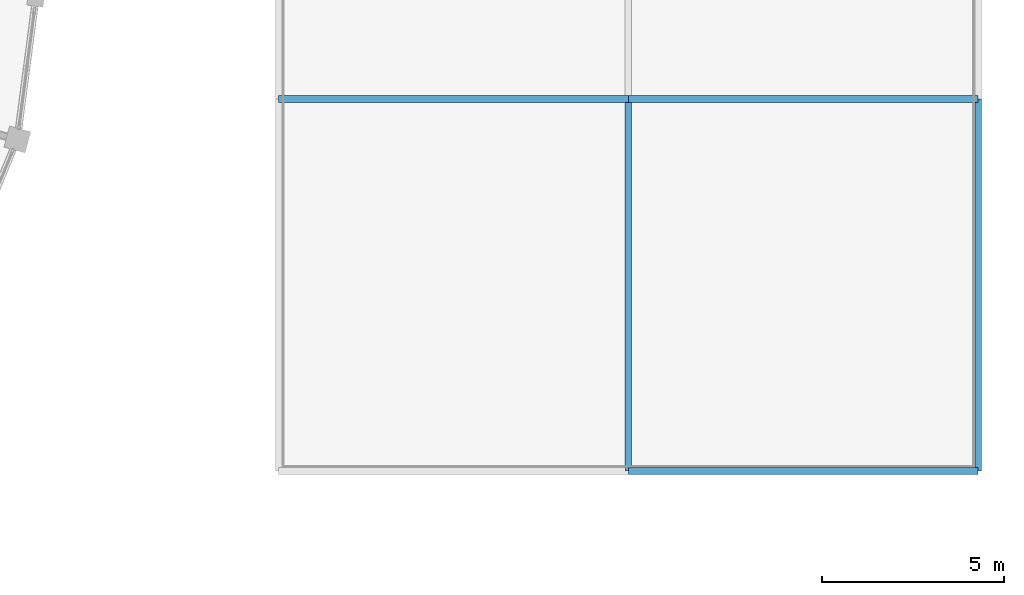
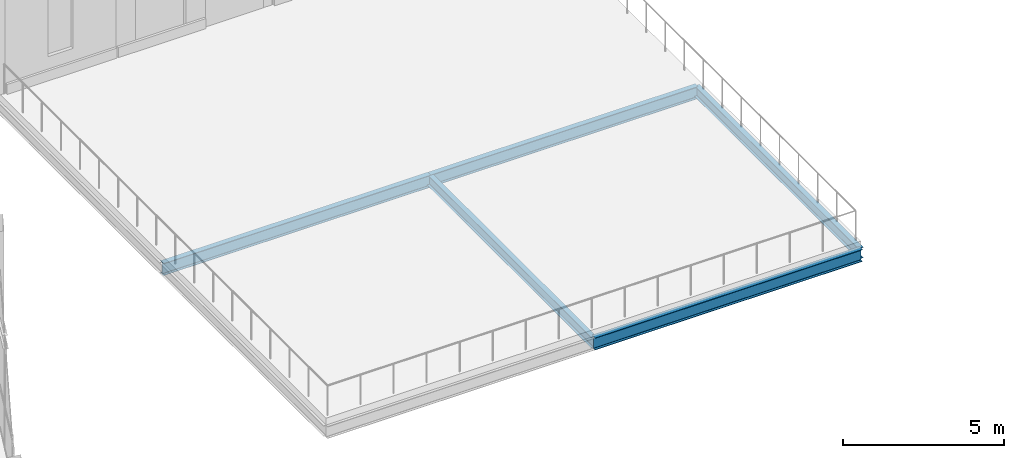
# One storey, part 114 of 185: 5 beams.
"""IFC4 building model written with IfcOpenShell, lengths in metres."""

from ifc_helpers import new_model, si_unit, direction, frame, origin, origin_2d, place, context, subcontext, project, spatial, i_section, extrude, material, material_profile, profile_set, type_object, element, save


model = new_model("IFC4")

# Units and contexts
model_context = context("Model", 3, precision=1e-05, world=origin(), true_north=direction((0.0, 1.0)))
body_context = subcontext(model_context, "Body", "Model", "MODEL_VIEW")
ifc_project = project(units=[si_unit("LENGTHUNIT", "METRE"), si_unit("AREAUNIT", "SQUARE_METRE"), si_unit("VOLUMEUNIT", "CUBIC_METRE"), si_unit("PLANEANGLEUNIT", "RADIAN"), si_unit("MASSUNIT", "GRAM", prefix="KILO")], contexts=[model_context])

# Site, building, storey
site_placement = place(None, origin())
site = spatial("IfcSite", under=ifc_project, at=site_placement, CompositionType="ELEMENT")
building_placement = place(site_placement, origin())
building = spatial("IfcBuilding", under=site, at=building_placement, Name="Vondelvale Polytechnic", CompositionType="ELEMENT")
storey_placement = place(building_placement, frame((0.0, 0.0, 9.60009765625)))
storey = spatial("IfcBuildingStorey", under=building, at=storey_placement, Name="L02", CompositionType="ELEMENT", Elevation=9.60009765625)

# Beams
ifc_material = material(Name="Steel 300PLUS (fy = 300 MPa)", Category="steel")
ifc_material_profile_1 = material_profile(ifc_material, i_section(OverallWidth=0.177978515625, OverallDepth=0.406005859375, WebThickness=0.0078125, FlangeThickness=0.0126953125, FilletRadius=0.011474609375, at=origin_2d()), Name="410UB59.7")
ifc_profile_set_1 = profile_set([ifc_material_profile_1], Name="Steel 300PLUS (fy = 300 MPa)")
beam_type_1 = type_object("IfcBeamType", Name="BM-UB410", PredefinedType="BEAM", material=ifc_profile_set_1)
for number, where, z_axis, x_axis, name in (
    (1, (163.199951171875, 51.0, -0.463134765625), (0.0, 1.0, 0.0), (-1.0, 0.0, 0.0), "L02 B B-14"),
    (2, (172.800048828125, 51.0, -0.463134765625), (0.0, 1.0, 0.0), (-1.0, 0.0, 0.0), "L02 B B-14"),
):
    element("IfcBeam", number, at=place(storey_placement, frame(where, z_axis=z_axis, x_axis=x_axis)), inside=storey, type_object=beam_type_1, Name=name, PredefinedType="BEAM", context=body_context, shape_type="SweptSolid", body=[
        extrude(i_section(OverallWidth=0.177978515625, OverallDepth=0.406005859375, WebThickness=0.0078125, FlangeThickness=0.0126953125, FilletRadius=0.011474609375, at=origin_2d()), origin(), (0.0, 0.0, 1.0), 10.199951171875),
    ])
ifc_material_profile_2 = material_profile(ifc_material, i_section(OverallWidth=0.19091796875, OverallDepth=0.4599609375, WebThickness=0.010009765625, FlangeThickness=0.01611328125, FilletRadius=0.011474609375, at=origin_2d()), Name="460UB82.1")
ifc_profile_set_2 = profile_set([ifc_material_profile_2], Name="Steel 300PLUS (fy = 300 MPa)")
beam_type_2 = type_object("IfcBeamType", Name="BM-UB460H", PredefinedType="BEAM", material=ifc_profile_set_2)
beam_1_placement = place(storey_placement, frame((163.199951171875, 51.0, -0.489990234375), z_axis=(1.0, 0.0, 0.0), x_axis=(0.0, 1.0, 0.0)))
element("IfcBeam", 3, at=beam_1_placement, inside=storey, type_object=beam_type_2, Name="L02 B B-12", PredefinedType="BEAM", context=body_context, shape_type="SweptSolid", body=[
    extrude(i_section(OverallWidth=0.19091796875, OverallDepth=0.4599609375, WebThickness=0.010009765625, FlangeThickness=0.01611328125, FilletRadius=0.011474609375, at=origin_2d()), origin(), (0.0, 0.0, 1.0), 9.60009765625),
])
beam_2_placement = place(storey_placement, frame((153.60009765625, 61.199951171875, -0.489990234375), z_axis=(1.0, 0.0, 0.0), x_axis=(0.0, 1.0, 0.0)))
element("IfcBeam", 4, at=beam_2_placement, inside=storey, type_object=beam_type_2, Name="L02 B B-12", PredefinedType="BEAM", context=body_context, shape_type="SweptSolid", body=[
    extrude(i_section(OverallWidth=0.19091796875, OverallDepth=0.4599609375, WebThickness=0.010009765625, FlangeThickness=0.01611328125, FilletRadius=0.011474609375, at=origin_2d()), origin(), (0.0, 0.0, 1.0), 9.599853515625),
])
beam_3_placement = place(storey_placement, frame((163.199951171875, 61.199951171875, -0.489990234375), z_axis=(1.0, 0.0, 0.0), x_axis=(0.0, 1.0, 0.0)))
element("IfcBeam", 5, at=beam_3_placement, inside=storey, type_object=beam_type_2, Name="L02 B B-12", PredefinedType="BEAM", context=body_context, shape_type="SweptSolid", body=[
    extrude(i_section(OverallWidth=0.19091796875, OverallDepth=0.4599609375, WebThickness=0.010009765625, FlangeThickness=0.01611328125, FilletRadius=0.011474609375, at=origin_2d()), origin(), (0.0, 0.0, 1.0), 9.60009765625),
])

save(model, "model.ifc")
